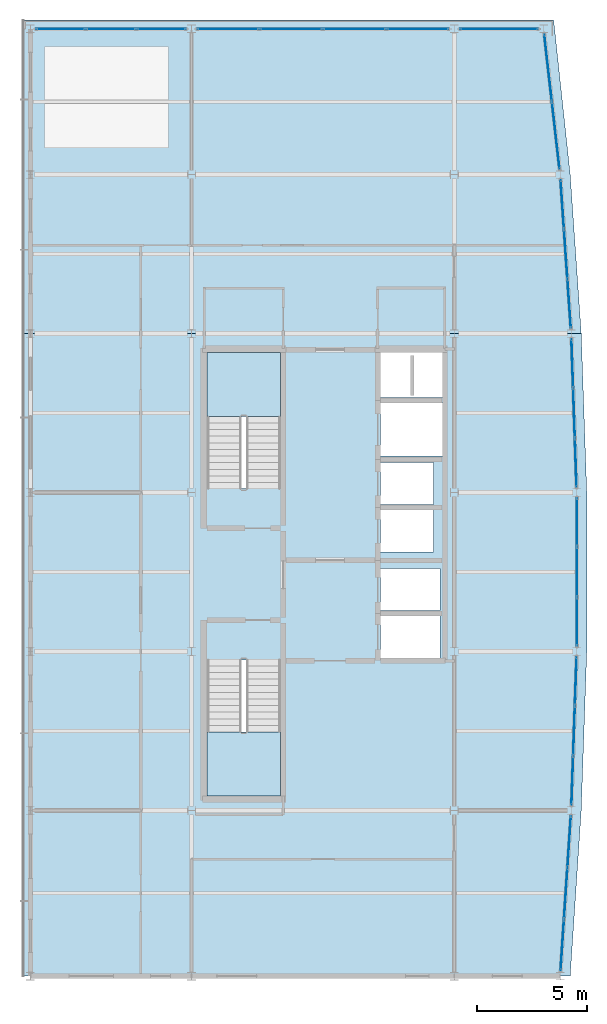
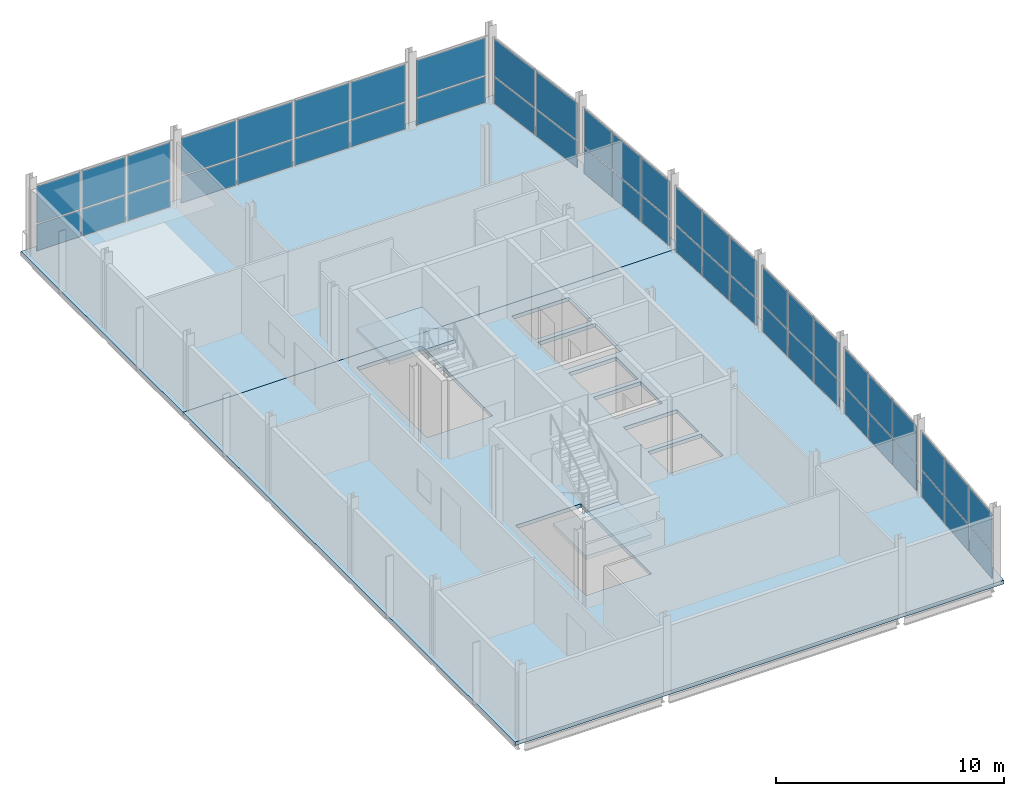
# One storey, part 10 of 17: 50 plates, 4 slabs, 11 elements without a shape of their own.
"""IFC4 building model written with IfcOpenShell, lengths in metres."""

from ifc_helpers import new_model, si_unit, direction, frame, origin, origin_2d, place, context, subcontext, project, spatial, polyline, rectangle, outline, extrude, material, layer, layer_set, type_object, element, aggregate, save


model = new_model("IFC4")

# Units and contexts
model_context = context("Model", 3, precision=1e-05, world=origin(), true_north=direction((0.0, 1.0)))
body_context = subcontext(model_context, "Body", "Model", "MODEL_VIEW")
ifc_project = project(units=[si_unit("LENGTHUNIT", "METRE"), si_unit("AREAUNIT", "SQUARE_METRE"), si_unit("VOLUMEUNIT", "CUBIC_METRE"), si_unit("PLANEANGLEUNIT", "RADIAN"), si_unit("MASSUNIT", "GRAM", prefix="KILO")], contexts=[model_context])

# Site, building, storey
site_placement = place(None, origin())
site = spatial("IfcSite", under=ifc_project, at=site_placement, CompositionType="ELEMENT")
building_placement = place(site_placement, origin())
building = spatial("IfcBuilding", under=site, at=building_placement, Name="Quillay Park Conservatory", CompositionType="ELEMENT")
storey_placement = place(building_placement, frame((0.0, 0.0, 51.89990234375)))
storey = spatial("IfcBuildingStorey", under=building, at=storey_placement, Name="L12", CompositionType="ELEMENT", Elevation=51.89990234375)

# Curtain wall, plates
ifc_material_1 = material(Name="Thermally Broken Anodised Aluminium 6063-T6", Category="aluminium")
ifc_layer_1 = layer(ifc_material_1, 0.179931640625)
ifc_layer_set_1 = layer_set([ifc_layer_1], Name="UNITISED CURTAIN WALL TOWER (Thermally Broken Anodised Aluminium 6063-T6)")
curtain_wall_type = type_object("IfcCurtainWallType", Name="UNITISED CURTAIN WALL TOWER", PredefinedType="USERDEFINED", material=ifc_layer_set_1)
curtain_wall_1_placement = place(storey_placement, origin())
curtain_wall_1 = element("IfcCurtainWall", 1, at=curtain_wall_1_placement, inside=storey, type_object=curtain_wall_type, Name="L12 Unitised Curtain Wall 113", ObjectType="UNITISED CURTAIN WALL", PredefinedType="USERDEFINED")
ifc_material_2 = material(Name="Low-E Double Glazing (Laminated Tempered)", Category="glass")
ifc_layer_2 = layer(ifc_material_2, 0.028076171875)
ifc_layer_set_2 = layer_set([ifc_layer_2], Name="CURTAIN WALL GLAZED PANEL 28 (Low-E Double Glazing (Laminated Tempered))")
plate_type = type_object("IfcPlateType", Name="CURTAIN WALL GLAZED PANEL 28", PredefinedType="CURTAIN_PANEL", material=ifc_layer_set_2)
plate_1_placement = place(storey_placement, frame((24.95654296875, 76.599365234375, 0.0703125), z_axis=(0.0, 0.0, 1.0), x_axis=(-0.0665208758, -0.997785033503, 0.0)))
plate_1 = element("IfcPlate", 2, at=plate_1_placement, type_object=plate_type, Name="CW-T1 panel 1.1", PredefinedType="CURTAIN_PANEL", context=body_context, shape_type="SweptSolid", body=[
    extrude(rectangle(XDim=2.26708984375, YDim=0.028076171875, at=origin_2d()), origin(), (0.0, 0.0, 1.0), 1.406494140625),
])
plate_2_placement = place(storey_placement, frame((24.95654296875, 76.599365234375, 1.546630859375), z_axis=(0.0, 0.0, 1.0), x_axis=(-0.0665208758, -0.997785033503, 0.0)))
plate_2 = element("IfcPlate", 3, at=plate_2_placement, type_object=plate_type, Name="CW-T1 panel 1.2", PredefinedType="CURTAIN_PANEL", context=body_context, shape_type="SweptSolid", body=[
    extrude(rectangle(XDim=2.26708984375, YDim=0.028076171875, at=origin_2d()), origin(), (0.0, 0.0, 1.0), 1.982421875),
])
plate_3_placement = place(storey_placement, frame((24.800048828125, 74.25, 0.0703125), z_axis=(0.0, 0.0, 1.0), x_axis=(-0.0665208758, -0.997785033503, 0.0)))
plate_3 = element("IfcPlate", 4, at=plate_3_placement, type_object=plate_type, Name="CW-T1 panel 2.1", PredefinedType="CURTAIN_PANEL", context=body_context, shape_type="SweptSolid", body=[
    extrude(rectangle(XDim=2.30224609375, YDim=0.028076171875, at=origin_2d()), origin(), (0.0, 0.0, 1.0), 1.406494140625),
])
plate_4_placement = place(storey_placement, frame((24.800048828125, 74.25, 1.546630859375), z_axis=(0.0, 0.0, 1.0), x_axis=(-0.0665208758, -0.997785033503, 0.0)))
plate_4 = element("IfcPlate", 5, at=plate_4_placement, type_object=plate_type, Name="CW-T1 panel 2.2", PredefinedType="CURTAIN_PANEL", context=body_context, shape_type="SweptSolid", body=[
    extrude(rectangle(XDim=2.30224609375, YDim=0.028076171875, at=origin_2d()), origin(), (0.0, 0.0, 1.0), 1.982421875),
])
plate_5_placement = place(storey_placement, frame((24.643310546875, 71.900634765625, 0.0703125), z_axis=(0.0, 0.0, 1.0), x_axis=(-0.0665208758, -0.997785033503, 0.0)))
plate_5 = element("IfcPlate", 6, at=plate_5_placement, type_object=plate_type, Name="CW-T1 panel 3.1", PredefinedType="CURTAIN_PANEL", context=body_context, shape_type="SweptSolid", body=[
    extrude(rectangle(XDim=2.26708984375, YDim=0.028076171875, at=origin_2d()), origin(), (0.0, 0.0, 1.0), 1.406494140625),
])
plate_6_placement = place(storey_placement, frame((24.643310546875, 71.900634765625, 1.546630859375), z_axis=(0.0, 0.0, 1.0), x_axis=(-0.0665208758, -0.997785033503, 0.0)))
plate_6 = element("IfcPlate", 7, at=plate_6_placement, type_object=plate_type, Name="CW-T1 panel 3.2", PredefinedType="CURTAIN_PANEL", context=body_context, shape_type="SweptSolid", body=[
    extrude(rectangle(XDim=2.26708984375, YDim=0.028076171875, at=origin_2d()), origin(), (0.0, 0.0, 1.0), 1.982421875),
])
aggregate(curtain_wall_1, [plate_1, plate_2, plate_3, plate_4, plate_5, plate_6])

curtain_wall_2_placement = place(storey_placement, origin())
curtain_wall_2 = element("IfcCurtainWall", 8, at=curtain_wall_2_placement, inside=storey, type_object=curtain_wall_type, Name="L12 Unitised Curtain Wall 114", ObjectType="UNITISED CURTAIN WALL", PredefinedType="USERDEFINED")
plate_7_placement = place(storey_placement, frame((25.253173828125, 83.849365234375, 0.0703125), z_axis=(0.0, 0.0, 1.0), x_axis=(-0.034713338537, -0.999397310446, 0.0)))
plate_7 = element("IfcPlate", 9, at=plate_7_placement, type_object=plate_type, Name="CW-T1 panel 1.1", PredefinedType="CURTAIN_PANEL", context=body_context, shape_type="SweptSolid", body=[
    extrude(rectangle(XDim=2.1630859375, YDim=0.028076171875, at=origin_2d()), origin(), (0.0, 0.0, 1.0), 1.406494140625),
])
plate_8_placement = place(storey_placement, frame((25.253173828125, 83.849365234375, 1.546630859375), z_axis=(0.0, 0.0, 1.0), x_axis=(-0.034713338537, -0.999397310446, 0.0)))
plate_8 = element("IfcPlate", 10, at=plate_8_placement, type_object=plate_type, Name="CW-T1 panel 1.2", PredefinedType="CURTAIN_PANEL", context=body_context, shape_type="SweptSolid", body=[
    extrude(rectangle(XDim=2.1630859375, YDim=0.028076171875, at=origin_2d()), origin(), (0.0, 0.0, 1.0), 1.982421875),
])
plate_9_placement = place(storey_placement, frame((25.175048828125, 81.60009765625, 0.0703125), z_axis=(0.0, 0.0, 1.0), x_axis=(-0.034713338537, -0.999397310446, 0.0)))
plate_9 = element("IfcPlate", 11, at=plate_9_placement, type_object=plate_type, Name="CW-T1 panel 2.1", PredefinedType="CURTAIN_PANEL", context=body_context, shape_type="SweptSolid", body=[
    extrude(rectangle(XDim=2.197998046875, YDim=0.028076171875, at=origin_2d()), origin(), (0.0, 0.0, 1.0), 1.406494140625),
])
plate_10_placement = place(storey_placement, frame((25.175048828125, 81.60009765625, 1.546630859375), z_axis=(0.0, 0.0, 1.0), x_axis=(-0.034713338537, -0.999397310446, 0.0)))
plate_10 = element("IfcPlate", 12, at=plate_10_placement, type_object=plate_type, Name="CW-T1 panel 2.2", PredefinedType="CURTAIN_PANEL", context=body_context, shape_type="SweptSolid", body=[
    extrude(rectangle(XDim=2.197998046875, YDim=0.028076171875, at=origin_2d()), origin(), (0.0, 0.0, 1.0), 1.982421875),
])
plate_11_placement = place(storey_placement, frame((25.096923828125, 79.350830078125, 0.0703125), z_axis=(0.0, 0.0, 1.0), x_axis=(-0.034713338537, -0.999397310446, 0.0)))
plate_11 = element("IfcPlate", 13, at=plate_11_placement, type_object=plate_type, Name="CW-T1 panel 3.1", PredefinedType="CURTAIN_PANEL", context=body_context, shape_type="SweptSolid", body=[
    extrude(rectangle(XDim=2.1630859375, YDim=0.028076171875, at=origin_2d()), origin(), (0.0, 0.0, 1.0), 1.406494140625),
])
plate_12_placement = place(storey_placement, frame((25.096923828125, 79.350830078125, 1.546630859375), z_axis=(0.0, 0.0, 1.0), x_axis=(-0.034713338537, -0.999397310446, 0.0)))
plate_12 = element("IfcPlate", 14, at=plate_12_placement, type_object=plate_type, Name="CW-T1 panel 3.2", PredefinedType="CURTAIN_PANEL", context=body_context, shape_type="SweptSolid", body=[
    extrude(rectangle(XDim=2.1630859375, YDim=0.028076171875, at=origin_2d()), origin(), (0.0, 0.0, 1.0), 1.982421875),
])
aggregate(curtain_wall_2, [plate_7, plate_8, plate_9, plate_10, plate_11, plate_12])

curtain_wall_3_placement = place(storey_placement, origin())
curtain_wall_3 = element("IfcCurtainWall", 15, at=curtain_wall_3_placement, inside=storey, type_object=curtain_wall_type, Name="L12 Unitised Curtain Wall 115", ObjectType="UNITISED CURTAIN WALL", PredefinedType="USERDEFINED")
plate_13_placement = place(storey_placement, frame((25.300048828125, 91.049072265625, 0.0703125), z_axis=(0.0, 0.0, 1.0), x_axis=(0.0, -1.0, 0.0)))
plate_13 = element("IfcPlate", 16, at=plate_13_placement, type_object=plate_type, Name="CW-T1 panel 1.1", PredefinedType="CURTAIN_PANEL", context=body_context, shape_type="SweptSolid", body=[
    extrude(rectangle(XDim=2.16162109375, YDim=0.028076171875, at=origin_2d()), origin(), (0.0, 0.0, 1.0), 1.406494140625),
])
plate_14_placement = place(storey_placement, frame((25.300048828125, 91.049072265625, 1.546630859375), z_axis=(0.0, 0.0, 1.0), x_axis=(0.0, -1.0, 0.0)))
plate_14 = element("IfcPlate", 17, at=plate_14_placement, type_object=plate_type, Name="CW-T1 panel 1.2", PredefinedType="CURTAIN_PANEL", context=body_context, shape_type="SweptSolid", body=[
    extrude(rectangle(XDim=2.16162109375, YDim=0.028076171875, at=origin_2d()), origin(), (0.0, 0.0, 1.0), 1.982421875),
])
plate_15_placement = place(storey_placement, frame((25.300048828125, 88.800048828125, 0.0703125), z_axis=(0.0, 0.0, 1.0), x_axis=(0.0, -1.0, 0.0)))
plate_15 = element("IfcPlate", 18, at=plate_15_placement, type_object=plate_type, Name="CW-T1 panel 2.1", PredefinedType="CURTAIN_PANEL", context=body_context, shape_type="SweptSolid", body=[
    extrude(rectangle(XDim=2.19677734375, YDim=0.028076171875, at=origin_2d()), origin(), (0.0, 0.0, 1.0), 1.406494140625),
])
plate_16_placement = place(storey_placement, frame((25.300048828125, 88.800048828125, 1.546630859375), z_axis=(0.0, 0.0, 1.0), x_axis=(0.0, -1.0, 0.0)))
plate_16 = element("IfcPlate", 19, at=plate_16_placement, type_object=plate_type, Name="CW-T1 panel 2.2", PredefinedType="CURTAIN_PANEL", context=body_context, shape_type="SweptSolid", body=[
    extrude(rectangle(XDim=2.19677734375, YDim=0.028076171875, at=origin_2d()), origin(), (0.0, 0.0, 1.0), 1.982421875),
])
plate_17_placement = place(storey_placement, frame((25.300048828125, 86.55078125, 0.0703125), z_axis=(0.0, 0.0, 1.0), x_axis=(0.0, -1.0, 0.0)))
plate_17 = element("IfcPlate", 20, at=plate_17_placement, type_object=plate_type, Name="CW-T1 panel 3.1", PredefinedType="CURTAIN_PANEL", context=body_context, shape_type="SweptSolid", body=[
    extrude(rectangle(XDim=2.16162109375, YDim=0.028076171875, at=origin_2d()), origin(), (0.0, 0.0, 1.0), 1.406494140625),
])
plate_18_placement = place(storey_placement, frame((25.300048828125, 86.55078125, 1.546630859375), z_axis=(0.0, 0.0, 1.0), x_axis=(0.0, -1.0, 0.0)))
plate_18 = element("IfcPlate", 21, at=plate_18_placement, type_object=plate_type, Name="CW-T1 panel 3.2", PredefinedType="CURTAIN_PANEL", context=body_context, shape_type="SweptSolid", body=[
    extrude(rectangle(XDim=2.16162109375, YDim=0.028076171875, at=origin_2d()), origin(), (0.0, 0.0, 1.0), 1.982421875),
])
aggregate(curtain_wall_3, [plate_13, plate_14, plate_15, plate_16, plate_17, plate_18])

curtain_wall_4_placement = place(storey_placement, origin())
curtain_wall_4 = element("IfcCurtainWall", 22, at=curtain_wall_4_placement, inside=storey, type_object=curtain_wall_type, Name="L12 Unitised Curtain Wall 116", ObjectType="UNITISED CURTAIN WALL", PredefinedType="USERDEFINED")
plate_19_placement = place(storey_placement, frame((25.096923828125, 98.249267578125, 0.0703125), z_axis=(0.0, 0.0, 1.0), x_axis=(0.034713338537, -0.999397310446, 0.0)))
plate_19 = element("IfcPlate", 23, at=plate_19_placement, type_object=plate_type, Name="CW-T1 panel 1.1", PredefinedType="CURTAIN_PANEL", context=body_context, shape_type="SweptSolid", body=[
    extrude(rectangle(XDim=2.1630859375, YDim=0.028076171875, at=origin_2d()), origin(), (0.0, 0.0, 1.0), 1.406494140625),
])
plate_20_placement = place(storey_placement, frame((25.096923828125, 98.249267578125, 1.546630859375), z_axis=(0.0, 0.0, 1.0), x_axis=(0.034713338537, -0.999397310446, 0.0)))
plate_20 = element("IfcPlate", 24, at=plate_20_placement, type_object=plate_type, Name="CW-T1 panel 1.2", PredefinedType="CURTAIN_PANEL", context=body_context, shape_type="SweptSolid", body=[
    extrude(rectangle(XDim=2.1630859375, YDim=0.028076171875, at=origin_2d()), origin(), (0.0, 0.0, 1.0), 1.982421875),
])
plate_21_placement = place(storey_placement, frame((25.175048828125, 96.0, 0.0703125), z_axis=(0.0, 0.0, 1.0), x_axis=(0.034713338537, -0.999397310446, 0.0)))
plate_21 = element("IfcPlate", 25, at=plate_21_placement, type_object=plate_type, Name="CW-T1 panel 2.1", PredefinedType="CURTAIN_PANEL", context=body_context, shape_type="SweptSolid", body=[
    extrude(rectangle(XDim=2.197998046875, YDim=0.028076171875, at=origin_2d()), origin(), (0.0, 0.0, 1.0), 1.406494140625),
])
plate_22_placement = place(storey_placement, frame((25.175048828125, 96.0, 1.546630859375), z_axis=(0.0, 0.0, 1.0), x_axis=(0.034713338537, -0.999397310446, 0.0)))
plate_22 = element("IfcPlate", 26, at=plate_22_placement, type_object=plate_type, Name="CW-T1 panel 2.2", PredefinedType="CURTAIN_PANEL", context=body_context, shape_type="SweptSolid", body=[
    extrude(rectangle(XDim=2.197998046875, YDim=0.028076171875, at=origin_2d()), origin(), (0.0, 0.0, 1.0), 1.982421875),
])
plate_23_placement = place(storey_placement, frame((25.253173828125, 93.750732421875, 0.0703125), z_axis=(0.0, 0.0, 1.0), x_axis=(0.034713338537, -0.999397310446, 0.0)))
plate_23 = element("IfcPlate", 27, at=plate_23_placement, type_object=plate_type, Name="CW-T1 panel 3.1", PredefinedType="CURTAIN_PANEL", context=body_context, shape_type="SweptSolid", body=[
    extrude(rectangle(XDim=2.1630859375, YDim=0.028076171875, at=origin_2d()), origin(), (0.0, 0.0, 1.0), 1.406494140625),
])
plate_24_placement = place(storey_placement, frame((25.253173828125, 93.750732421875, 1.546630859375), z_axis=(0.0, 0.0, 1.0), x_axis=(0.034713338537, -0.999397310446, 0.0)))
plate_24 = element("IfcPlate", 28, at=plate_24_placement, type_object=plate_type, Name="CW-T1 panel 3.2", PredefinedType="CURTAIN_PANEL", context=body_context, shape_type="SweptSolid", body=[
    extrude(rectangle(XDim=2.1630859375, YDim=0.028076171875, at=origin_2d()), origin(), (0.0, 0.0, 1.0), 1.982421875),
])
aggregate(curtain_wall_4, [plate_19, plate_20, plate_21, plate_22, plate_23, plate_24])

curtain_wall_5_placement = place(storey_placement, origin())
curtain_wall_5 = element("IfcCurtainWall", 29, at=curtain_wall_5_placement, inside=storey, type_object=curtain_wall_type, Name="L12 Unitised Curtain Wall 117", ObjectType="UNITISED CURTAIN WALL", PredefinedType="USERDEFINED")
plate_25_placement = place(storey_placement, frame((24.643798828125, 105.449462890625, 0.0703125), z_axis=(0.0, 0.0, 1.0), x_axis=(0.069264217159, -0.99759835015, 0.0)))
plate_25 = element("IfcPlate", 30, at=plate_25_placement, type_object=plate_type, Name="CW-T1 panel 1.1", PredefinedType="CURTAIN_PANEL", context=body_context, shape_type="SweptSolid", body=[
    extrude(rectangle(XDim=2.16748046875, YDim=0.028076171875, at=origin_2d()), origin(), (0.0, 0.0, 1.0), 1.406494140625),
])
plate_26_placement = place(storey_placement, frame((24.643798828125, 105.449462890625, 1.546630859375), z_axis=(0.0, 0.0, 1.0), x_axis=(0.069264217159, -0.99759835015, 0.0)))
plate_26 = element("IfcPlate", 31, at=plate_26_placement, type_object=plate_type, Name="CW-T1 panel 1.2", PredefinedType="CURTAIN_PANEL", context=body_context, shape_type="SweptSolid", body=[
    extrude(rectangle(XDim=2.16748046875, YDim=0.028076171875, at=origin_2d()), origin(), (0.0, 0.0, 1.0), 1.982421875),
])
plate_27_placement = place(storey_placement, frame((24.800048828125, 103.199951171875, 0.0703125), z_axis=(0.0, 0.0, 1.0), x_axis=(0.069264217159, -0.99759835015, 0.0)))
plate_27 = element("IfcPlate", 32, at=plate_27_placement, type_object=plate_type, Name="CW-T1 panel 2.1", PredefinedType="CURTAIN_PANEL", context=body_context, shape_type="SweptSolid", body=[
    extrude(rectangle(XDim=2.202392578125, YDim=0.028076171875, at=origin_2d()), origin(), (0.0, 0.0, 1.0), 1.406494140625),
])
plate_28_placement = place(storey_placement, frame((24.800048828125, 103.199951171875, 1.546630859375), z_axis=(0.0, 0.0, 1.0), x_axis=(0.069264217159, -0.99759835015, 0.0)))
plate_28 = element("IfcPlate", 33, at=plate_28_placement, type_object=plate_type, Name="CW-T1 panel 2.2", PredefinedType="CURTAIN_PANEL", context=body_context, shape_type="SweptSolid", body=[
    extrude(rectangle(XDim=2.202392578125, YDim=0.028076171875, at=origin_2d()), origin(), (0.0, 0.0, 1.0), 1.982421875),
])
plate_29_placement = place(storey_placement, frame((24.956298828125, 100.950439453125, 0.0703125), z_axis=(0.0, 0.0, 1.0), x_axis=(0.069264217159, -0.99759835015, 0.0)))
plate_29 = element("IfcPlate", 34, at=plate_29_placement, type_object=plate_type, Name="CW-T1 panel 3.1", PredefinedType="CURTAIN_PANEL", context=body_context, shape_type="SweptSolid", body=[
    extrude(rectangle(XDim=2.16748046875, YDim=0.028076171875, at=origin_2d()), origin(), (0.0, 0.0, 1.0), 1.406494140625),
])
plate_30_placement = place(storey_placement, frame((24.956298828125, 100.950439453125, 1.546630859375), z_axis=(0.0, 0.0, 1.0), x_axis=(0.069264217159, -0.99759835015, 0.0)))
plate_30 = element("IfcPlate", 35, at=plate_30_placement, type_object=plate_type, Name="CW-T1 panel 3.2", PredefinedType="CURTAIN_PANEL", context=body_context, shape_type="SweptSolid", body=[
    extrude(rectangle(XDim=2.16748046875, YDim=0.028076171875, at=origin_2d()), origin(), (0.0, 0.0, 1.0), 1.982421875),
])
aggregate(curtain_wall_5, [plate_25, plate_26, plate_27, plate_28, plate_29, plate_30])

curtain_wall_6_placement = place(storey_placement, origin())
curtain_wall_6 = element("IfcCurtainWall", 36, at=curtain_wall_6_placement, inside=storey, type_object=curtain_wall_type, Name="L12 Unitised Curtain Wall 118", ObjectType="UNITISED CURTAIN WALL", PredefinedType="USERDEFINED")
plate_31_placement = place(storey_placement, frame((24.000732421875, 111.63330078125, 0.0703125), z_axis=(0.0, 0.0, 1.0), x_axis=(0.112903218278, -0.993605989969, 0.0)))
plate_31 = element("IfcPlate", 37, at=plate_31_placement, type_object=plate_type, Name="CW-T1 panel 1.1", PredefinedType="CURTAIN_PANEL", context=body_context, shape_type="SweptSolid", body=[
    extrude(rectangle(XDim=3.016357421875, YDim=0.028076171875, at=origin_2d()), origin(), (0.0, 0.0, 1.0), 1.406494140625),
])
plate_32_placement = place(storey_placement, frame((24.000732421875, 111.63330078125, 1.546630859375), z_axis=(0.0, 0.0, 1.0), x_axis=(0.112903218278, -0.993605989969, 0.0)))
plate_32 = element("IfcPlate", 38, at=plate_32_placement, type_object=plate_type, Name="CW-T1 panel 1.2", PredefinedType="CURTAIN_PANEL", context=body_context, shape_type="SweptSolid", body=[
    extrude(rectangle(XDim=3.016357421875, YDim=0.028076171875, at=origin_2d()), origin(), (0.0, 0.0, 1.0), 1.982421875),
])
plate_33_placement = place(storey_placement, frame((24.34912109375, 108.566650390625, 0.0703125), z_axis=(0.0, 0.0, 1.0), x_axis=(0.112903218278, -0.993605989969, 0.0)))
plate_33 = element("IfcPlate", 39, at=plate_33_placement, type_object=plate_type, Name="CW-T1 panel 2.1", PredefinedType="CURTAIN_PANEL", context=body_context, shape_type="SweptSolid", body=[
    extrude(rectangle(XDim=3.016357421875, YDim=0.028076171875, at=origin_2d()), origin(), (0.0, 0.0, 1.0), 1.406494140625),
])
plate_34_placement = place(storey_placement, frame((24.34912109375, 108.566650390625, 1.546630859375), z_axis=(0.0, 0.0, 1.0), x_axis=(0.112903218278, -0.993605989969, 0.0)))
plate_34 = element("IfcPlate", 40, at=plate_34_placement, type_object=plate_type, Name="CW-T1 panel 2.2", PredefinedType="CURTAIN_PANEL", context=body_context, shape_type="SweptSolid", body=[
    extrude(rectangle(XDim=3.016357421875, YDim=0.028076171875, at=origin_2d()), origin(), (0.0, 0.0, 1.0), 1.982421875),
])
aggregate(curtain_wall_6, [plate_31, plate_32, plate_33, plate_34])

curtain_wall_7_placement = place(storey_placement, origin())
curtain_wall_7 = element("IfcCurtainWall", 41, at=curtain_wall_7_placement, inside=storey, type_object=curtain_wall_type, Name="L12 Unitised Curtain Wall 119", ObjectType="UNITISED CURTAIN WALL", PredefinedType="USERDEFINED")
plate_35_placement = place(storey_placement, frame((1.91748046875, 113.39990234375, 0.0703125), z_axis=(0.0, 0.0, 1.0), x_axis=(1.0, 0.0, 0.0)))
plate_35 = element("IfcPlate", 42, at=plate_35_placement, type_object=plate_type, Name="CW-T1 panel 1.1", PredefinedType="CURTAIN_PANEL", context=body_context, shape_type="SweptSolid", body=[
    extrude(rectangle(XDim=2.195068359375, YDim=0.028076171875, at=origin_2d()), origin(), (0.0, 0.0, 1.0), 1.406494140625),
])
plate_36_placement = place(storey_placement, frame((1.91748046875, 113.39990234375, 1.546630859375), z_axis=(0.0, 0.0, 1.0), x_axis=(1.0, 0.0, 0.0)))
plate_36 = element("IfcPlate", 43, at=plate_36_placement, type_object=plate_type, Name="CW-T1 panel 1.2", PredefinedType="CURTAIN_PANEL", context=body_context, shape_type="SweptSolid", body=[
    extrude(rectangle(XDim=2.195068359375, YDim=0.028076171875, at=origin_2d()), origin(), (0.0, 0.0, 1.0), 1.982421875),
])
plate_37_placement = place(storey_placement, frame((4.199951171875, 113.39990234375, 0.0703125), z_axis=(0.0, 0.0, 1.0), x_axis=(1.0, 0.0, 0.0)))
plate_37 = element("IfcPlate", 44, at=plate_37_placement, type_object=plate_type, Name="CW-T1 panel 2.1", PredefinedType="CURTAIN_PANEL", context=body_context, shape_type="SweptSolid", body=[
    extrude(rectangle(XDim=2.22998046875, YDim=0.028076171875, at=origin_2d()), origin(), (0.0, 0.0, 1.0), 1.406494140625),
])
plate_38_placement = place(storey_placement, frame((4.199951171875, 113.39990234375, 1.546630859375), z_axis=(0.0, 0.0, 1.0), x_axis=(1.0, 0.0, 0.0)))
plate_38 = element("IfcPlate", 45, at=plate_38_placement, type_object=plate_type, Name="CW-T1 panel 2.2", PredefinedType="CURTAIN_PANEL", context=body_context, shape_type="SweptSolid", body=[
    extrude(rectangle(XDim=2.22998046875, YDim=0.028076171875, at=origin_2d()), origin(), (0.0, 0.0, 1.0), 1.982421875),
])
plate_39_placement = place(storey_placement, frame((6.482421875, 113.39990234375, 0.0703125), z_axis=(0.0, 0.0, 1.0), x_axis=(1.0, 0.0, 0.0)))
plate_39 = element("IfcPlate", 46, at=plate_39_placement, type_object=plate_type, Name="CW-T1 panel 3.1", PredefinedType="CURTAIN_PANEL", context=body_context, shape_type="SweptSolid", body=[
    extrude(rectangle(XDim=2.195068359375, YDim=0.028076171875, at=origin_2d()), origin(), (0.0, 0.0, 1.0), 1.406494140625),
])
plate_40_placement = place(storey_placement, frame((6.482421875, 113.39990234375, 1.546630859375), z_axis=(0.0, 0.0, 1.0), x_axis=(1.0, 0.0, 0.0)))
plate_40 = element("IfcPlate", 47, at=plate_40_placement, type_object=plate_type, Name="CW-T1 panel 3.2", PredefinedType="CURTAIN_PANEL", context=body_context, shape_type="SweptSolid", body=[
    extrude(rectangle(XDim=2.195068359375, YDim=0.028076171875, at=origin_2d()), origin(), (0.0, 0.0, 1.0), 1.982421875),
])
aggregate(curtain_wall_7, [plate_35, plate_36, plate_37, plate_38, plate_39, plate_40])

curtain_wall_8_placement = place(storey_placement, origin())
curtain_wall_8 = element("IfcCurtainWall", 48, at=curtain_wall_8_placement, inside=storey, type_object=curtain_wall_type, Name="L12 Unitised Curtain Wall 120", ObjectType="UNITISED CURTAIN WALL", PredefinedType="USERDEFINED")
plate_41_placement = place(storey_placement, frame((9.5048828125, 113.39990234375, 0.0703125), z_axis=(0.0, 0.0, 1.0), x_axis=(1.0, 0.0, 0.0)))
plate_41 = element("IfcPlate", 49, at=plate_41_placement, type_object=plate_type, Name="CW-T1 panel 1.1", PredefinedType="CURTAIN_PANEL", context=body_context, shape_type="SweptSolid", body=[
    extrude(rectangle(XDim=2.77001953125, YDim=0.028076171875, at=origin_2d()), origin(), (0.0, 0.0, 1.0), 1.406494140625),
])
plate_42_placement = place(storey_placement, frame((9.5048828125, 113.39990234375, 1.546630859375), z_axis=(0.0, 0.0, 1.0), x_axis=(1.0, 0.0, 0.0)))
plate_42 = element("IfcPlate", 50, at=plate_42_placement, type_object=plate_type, Name="CW-T1 panel 1.2", PredefinedType="CURTAIN_PANEL", context=body_context, shape_type="SweptSolid", body=[
    extrude(rectangle(XDim=2.77001953125, YDim=0.028076171875, at=origin_2d()), origin(), (0.0, 0.0, 1.0), 1.982421875),
])
plate_43_placement = place(storey_placement, frame((12.362548828125, 113.39990234375, 0.0703125), z_axis=(0.0, 0.0, 1.0), x_axis=(1.0, 0.0, 0.0)))
plate_43 = element("IfcPlate", 51, at=plate_43_placement, type_object=plate_type, Name="CW-T1 panel 2.1", PredefinedType="CURTAIN_PANEL", context=body_context, shape_type="SweptSolid", body=[
    extrude(rectangle(XDim=2.804931640625, YDim=0.028076171875, at=origin_2d()), origin(), (0.0, 0.0, 1.0), 1.406494140625),
])
plate_44_placement = place(storey_placement, frame((12.362548828125, 113.39990234375, 1.546630859375), z_axis=(0.0, 0.0, 1.0), x_axis=(1.0, 0.0, 0.0)))
plate_44 = element("IfcPlate", 52, at=plate_44_placement, type_object=plate_type, Name="CW-T1 panel 2.2", PredefinedType="CURTAIN_PANEL", context=body_context, shape_type="SweptSolid", body=[
    extrude(rectangle(XDim=2.804931640625, YDim=0.028076171875, at=origin_2d()), origin(), (0.0, 0.0, 1.0), 1.982421875),
])
plate_45_placement = place(storey_placement, frame((15.237548828125, 113.39990234375, 0.0703125), z_axis=(0.0, 0.0, 1.0), x_axis=(1.0, 0.0, 0.0)))
plate_45 = element("IfcPlate", 53, at=plate_45_placement, type_object=plate_type, Name="CW-T1 panel 3.1", PredefinedType="CURTAIN_PANEL", context=body_context, shape_type="SweptSolid", body=[
    extrude(rectangle(XDim=2.804931640625, YDim=0.028076171875, at=origin_2d()), origin(), (0.0, 0.0, 1.0), 1.406494140625),
])
plate_46_placement = place(storey_placement, frame((15.237548828125, 113.39990234375, 1.546630859375), z_axis=(0.0, 0.0, 1.0), x_axis=(1.0, 0.0, 0.0)))
plate_46 = element("IfcPlate", 54, at=plate_46_placement, type_object=plate_type, Name="CW-T1 panel 3.2", PredefinedType="CURTAIN_PANEL", context=body_context, shape_type="SweptSolid", body=[
    extrude(rectangle(XDim=2.804931640625, YDim=0.028076171875, at=origin_2d()), origin(), (0.0, 0.0, 1.0), 1.982421875),
])
plate_47_placement = place(storey_placement, frame((18.094970703125, 113.39990234375, 0.0703125), z_axis=(0.0, 0.0, 1.0), x_axis=(1.0, 0.0, 0.0)))
plate_47 = element("IfcPlate", 55, at=plate_47_placement, type_object=plate_type, Name="CW-T1 panel 4.1", PredefinedType="CURTAIN_PANEL", context=body_context, shape_type="SweptSolid", body=[
    extrude(rectangle(XDim=2.77001953125, YDim=0.028076171875, at=origin_2d()), origin(), (0.0, 0.0, 1.0), 1.406494140625),
])
plate_48_placement = place(storey_placement, frame((18.094970703125, 113.39990234375, 1.546630859375), z_axis=(0.0, 0.0, 1.0), x_axis=(1.0, 0.0, 0.0)))
plate_48 = element("IfcPlate", 56, at=plate_48_placement, type_object=plate_type, Name="CW-T1 panel 4.2", PredefinedType="CURTAIN_PANEL", context=body_context, shape_type="SweptSolid", body=[
    extrude(rectangle(XDim=2.77001953125, YDim=0.028076171875, at=origin_2d()), origin(), (0.0, 0.0, 1.0), 1.982421875),
])
aggregate(curtain_wall_8, [plate_41, plate_42, plate_43, plate_44, plate_45, plate_46, plate_47, plate_48])

curtain_wall_9_placement = place(storey_placement, origin())
curtain_wall_9 = element("IfcCurtainWall", 57, at=curtain_wall_9_placement, inside=storey, type_object=curtain_wall_type, Name="L12 Unitised Curtain Wall 121", ObjectType="UNITISED CURTAIN WALL", PredefinedType="USERDEFINED")
plate_49_placement = place(storey_placement, frame((21.77490234375, 113.39990234375, 0.0703125), z_axis=(0.0, 0.0, 1.0), x_axis=(1.0, 0.0, 0.0)))
plate_49 = element("IfcPlate", 58, at=plate_49_placement, type_object=plate_type, Name="CW-T1 panel 1.1", PredefinedType="CURTAIN_PANEL", context=body_context, shape_type="SweptSolid", body=[
    extrude(rectangle(XDim=3.510009765625, YDim=0.028076171875, at=origin_2d()), origin(), (0.0, 0.0, 1.0), 1.406494140625),
])
plate_50_placement = place(storey_placement, frame((21.77490234375, 113.39990234375, 1.546630859375), z_axis=(0.0, 0.0, 1.0), x_axis=(1.0, 0.0, 0.0)))
plate_50 = element("IfcPlate", 59, at=plate_50_placement, type_object=plate_type, Name="CW-T1 panel 1.2", PredefinedType="CURTAIN_PANEL", context=body_context, shape_type="SweptSolid", body=[
    extrude(rectangle(XDim=3.510009765625, YDim=0.028076171875, at=origin_2d()), origin(), (0.0, 0.0, 1.0), 1.982421875),
])
aggregate(curtain_wall_9, [plate_49, plate_50])

# Stair, slab
ifc_material_3 = material(Name="Concrete C35/45 (NCh170 Concrete C35/45)", Category="concrete")
stair_type = type_object("IfcStairType", Name="ENCLOSED DOG LEG STAIR 4200", PredefinedType="HALF_TURN_STAIR", material=ifc_material_3)
stair_1_placement = place(storey_placement, origin())
stair_1 = element("IfcStair", 60, at=stair_1_placement, inside=storey, type_object=stair_type, Name="L12 Tower Protected Exit Stair 1", PredefinedType="HALF_TURN_STAIR")
ifc_material_4 = material(Name="Concrete C35/45 (NCh170 Concrete C35/45)", Category="concrete")
ifc_layer_3 = layer(ifc_material_4, 0.199951171875)
ifc_layer_set_3 = layer_set([ifc_layer_3], Name="STAIR LANDING SLAB 200 (Concrete C35/45 (NCh170 Concrete C35/45))")
slab_type_1 = type_object("IfcSlabType", Name="STAIR LANDING SLAB 200", PredefinedType="LANDING", material=ifc_layer_set_3)
slab_1_placement = place(storey_placement, frame((0.0, 0.0, 1.900146484375)))
slab_1 = element("IfcSlab", 61, at=slab_1_placement, type_object=slab_type_1, Name="ST-T1 landing 1", PredefinedType="LANDING", context=body_context, shape_type="SweptSolid", body=[
    extrude(outline(polyline([(11.8701171875, 95.85009765625), (11.8701171875, 98.75), (8.550048828125, 98.75), (8.550048828125, 95.85009765625), (11.8701171875, 95.85009765625)])), origin(), (0.0, 0.0, 1.0), 0.199951171875),
])
aggregate(stair_1, [slab_1])

stair_2_placement = place(storey_placement, origin())
stair_2 = element("IfcStair", 62, at=stair_2_placement, inside=storey, type_object=stair_type, Name="L12 Tower Protected Exit Stair 2", PredefinedType="HALF_TURN_STAIR")
slab_2_placement = place(storey_placement, frame((0.0, 0.0, 1.900146484375)))
slab_2 = element("IfcSlab", 63, at=slab_2_placement, type_object=slab_type_1, Name="ST-T2 landing 1", PredefinedType="LANDING", context=body_context, shape_type="SweptSolid", body=[
    extrude(outline(polyline([(8.550048828125, 81.550048828125), (8.550048828125, 78.64990234375), (11.8701171875, 78.64990234375), (11.8701171875, 81.550048828125), (8.550048828125, 81.550048828125)])), origin(), (0.0, 0.0, 1.0), 0.199951171875),
])
aggregate(stair_2, [slab_2])

# Slabs
ifc_material_5 = material(Name="Concrete C35/45 (NCh170 Concrete C35/45)", Category="concrete")
ifc_layer_4 = layer(ifc_material_5, 0.199951171875)
ifc_layer_set_4 = layer_set([ifc_layer_4], Name="SUSPENDED FLOOR SLAB 180 (Concrete C35/45 (NCh170 Concrete C35/45))")
slab_type_2 = type_object("IfcSlabType", Name="SUSPENDED FLOOR SLAB 180", PredefinedType="FLOOR", material=ifc_layer_set_4)
slab_3_placement = place(storey_placement, frame((0.0, 0.0, -0.199951171875)))
element("IfcSlab", 64, at=slab_3_placement, inside=storey, type_object=slab_type_2, Name="L12 Research Tower South Chord Plate", PredefinedType="FLOOR", context=body_context, shape_type="SweptSolid", body=[
    extrude(outline(polyline([(0.25, 70.5), (25.0, 70.5), (25.5, 78.0), (25.75, 85.199951171875), (25.75, 92.39990234375), (25.5, 99.60009765625), (0.25, 99.60009765625), (0.25, 70.5)]), holes=[polyline([(8.550048828125, 92.580078125), (11.8701171875, 92.580078125), (11.8701171875, 98.75), (8.550048828125, 98.75), (8.550048828125, 92.580078125)]), polyline([(8.550048828125, 78.64990234375), (11.8701171875, 78.64990234375), (11.8701171875, 84.820068359375), (8.550048828125, 84.820068359375), (8.550048828125, 78.64990234375)]), polyline([(16.39990234375, 84.89990234375), (19.10009765625, 84.89990234375), (19.10009765625, 86.800048828125), (16.39990234375, 86.800048828125), (16.39990234375, 84.89990234375)]), polyline([(16.39990234375, 87.050048828125), (19.10009765625, 87.050048828125), (19.10009765625, 88.949951171875), (16.39990234375, 88.949951171875), (16.39990234375, 87.050048828125)]), polyline([(16.39990234375, 89.699951171875), (18.800048828125, 89.699951171875), (18.800048828125, 91.60009765625), (16.39990234375, 91.60009765625), (16.39990234375, 89.699951171875)]), polyline([(16.39990234375, 91.85009765625), (18.800048828125, 91.85009765625), (18.800048828125, 93.75), (16.39990234375, 93.75), (16.39990234375, 91.85009765625)]), polyline([(16.39990234375, 94.050048828125), (19.300048828125, 94.050048828125), (19.300048828125, 96.449951171875), (16.39990234375, 96.449951171875), (16.39990234375, 94.050048828125)]), polyline([(16.39990234375, 96.699951171875), (19.300048828125, 96.699951171875), (19.300048828125, 98.75), (16.39990234375, 98.75), (16.39990234375, 96.699951171875)])]), origin(), (0.0, 0.0, 1.0), 0.199951171875),
])
slab_4_placement = place(storey_placement, frame((0.0, 0.0, -0.199951171875)))
element("IfcSlab", 65, at=slab_4_placement, inside=storey, type_object=slab_type_2, Name="L12 Research Tower North Chord Plate", PredefinedType="FLOOR", context=body_context, shape_type="SweptSolid", body=[
    extrude(outline(polyline([(0.25, 99.60009765625), (25.5, 99.60009765625), (25.0, 106.800048828125), (24.25, 113.800048828125), (0.25, 113.800048828125), (0.25, 99.60009765625)])), origin(), (0.0, 0.0, 1.0), 0.199951171875),
])

save(model, "model.ifc")
